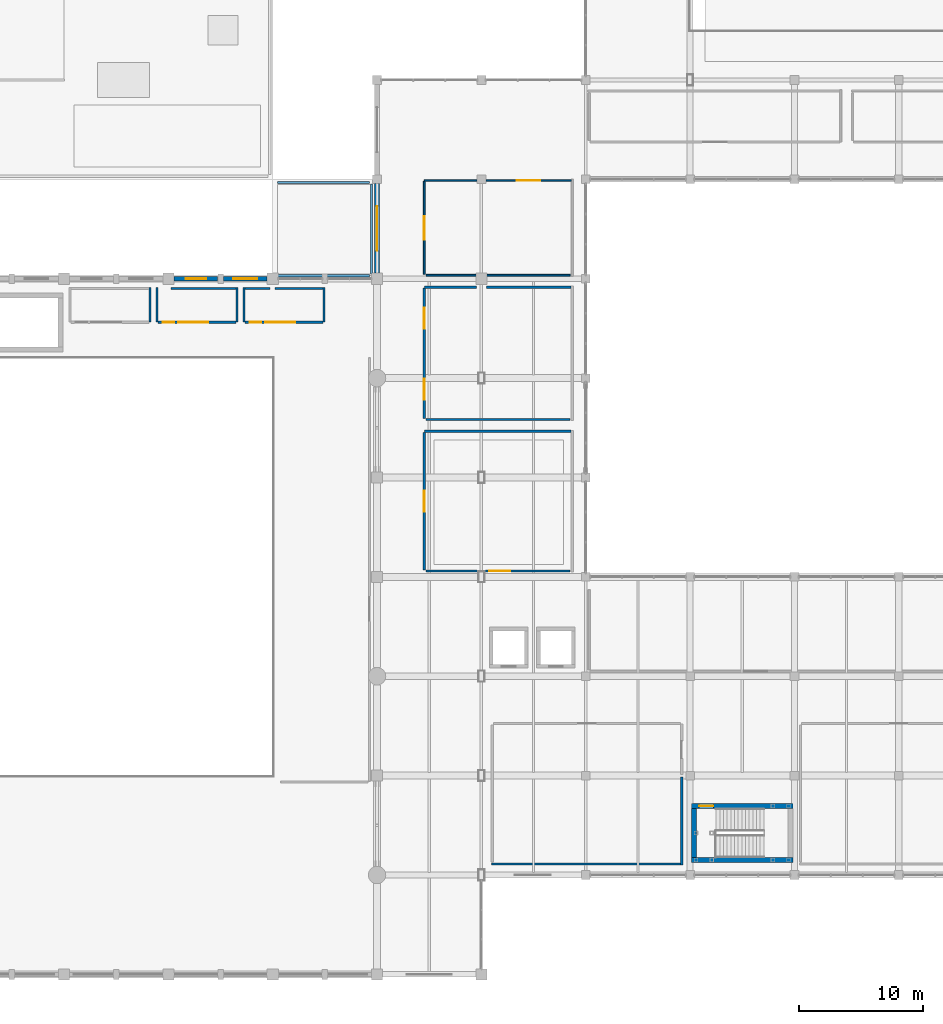
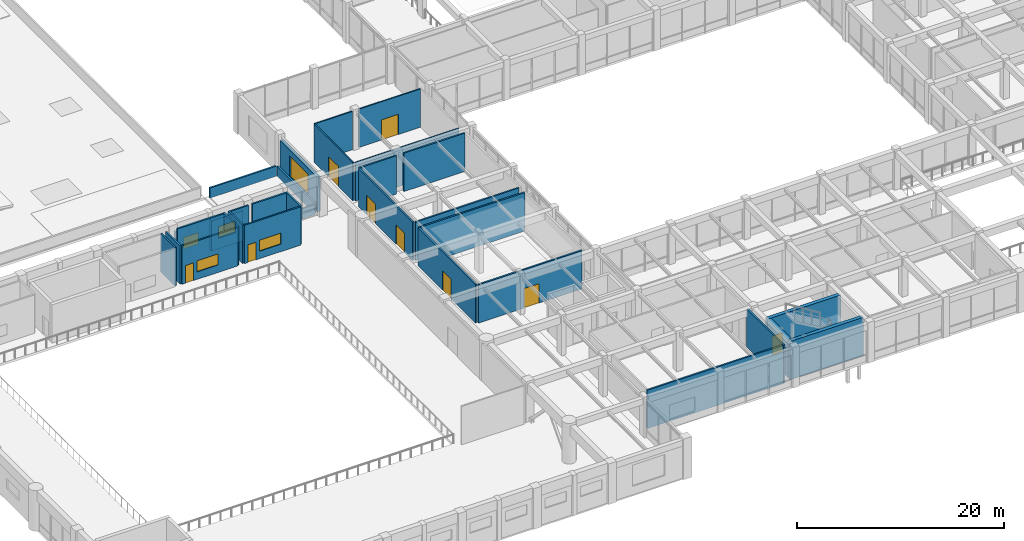
# One storey, part 51 of 76: 32 walls, 9 doors, 5 windows, 14 openings.
"""IFC4 building model written with IfcOpenShell, lengths in metres."""

from ifc_helpers import new_model, si_unit, direction, frame, frame_2d, origin, place, context, subcontext, project, spatial, rectangle, extrude, material, layer, layer_set, type_object, element, fill, save


model = new_model("IFC4")

# Units and contexts
model_context = context("Model", 3, precision=1e-05, world=origin(), true_north=direction((0.0, 1.0)))
body_context = subcontext(model_context, "Body", "Model", "MODEL_VIEW")
ifc_project = project(units=[si_unit("LENGTHUNIT", "METRE"), si_unit("AREAUNIT", "SQUARE_METRE"), si_unit("VOLUMEUNIT", "CUBIC_METRE"), si_unit("PLANEANGLEUNIT", "RADIAN"), si_unit("MASSUNIT", "GRAM", prefix="KILO")], contexts=[model_context])

# Site, building, storey
site_placement = place(None, origin())
site = spatial("IfcSite", under=ifc_project, at=site_placement, CompositionType="ELEMENT")
building_placement = place(site_placement, origin())
building = spatial("IfcBuilding", under=site, at=building_placement, Name="Naruveol Harbour Congress Hotel", CompositionType="ELEMENT")
storey_placement = place(building_placement, frame((0.0, 0.0, 11.39990234375)))
storey = spatial("IfcBuildingStorey", under=building, at=storey_placement, Name="L02", CompositionType="ELEMENT", Elevation=11.39990234375)

# Wall, opening, window
ifc_material_1 = material(Name="Concrete C40/50", Category="concrete")
ifc_layer_1 = layer(ifc_material_1, 0.340087890625)
ifc_layer_set_1 = layer_set([ifc_layer_1], Name="Concrete C40/50")
wall_type_1 = type_object("IfcWallType", Name="ACOUSTIC CONGRESS ENVELOPE WALL 340", PredefinedType="SOLIDWALL", material=ifc_layer_set_1)
wall_1_placement = place(storey_placement, frame((34.050048828125, 56.0, 0.0), z_axis=(0.0, 0.0, 1.0), x_axis=(1.0, 0.0, 0.0)))
wall_1 = element("IfcWall", 1, at=wall_1_placement, inside=storey, type_object=wall_type_1, Name="Congress north facade EW-340", PredefinedType="SOLIDWALL", context=body_context, shape_type="SweptSolid", body=[
    extrude(rectangle(XDim=3.52490234375, YDim=0.340087890625, at=frame_2d((1.762451171875, 0.0))), origin(), (0.0, 0.0, 1.0), 3.60009765625),
])
opening_1_placement = place(wall_1_placement, frame((0.93798828125, 0.0, 1.25)))
opening_1 = element("IfcOpeningElement", 2, at=opening_1_placement, cuts=wall_1, Name="Opening W-34", PredefinedType="OPENING", context=body_context, shape_type="SweptSolid", body=[
    extrude(rectangle(XDim=1.64990234375, YDim=1.35009765625, at=frame_2d((0.824951171875, 0.675048828125))), frame((0.0, 0.179931640625, 0.0), z_axis=(0.0, -1.0, 0.0), x_axis=(1.0, 0.0, 0.0)), (0.0, 0.0, 1.0), 0.360107421875),
])
ifc_material_2 = material(Name="Low-E Triple Glazing in Thermal Aluminium", Category="aluminium")
window_type_1 = type_object("IfcWindowType", Name="CONCOURSE NORTH BAY WINDOW 1650X1350", PartitioningType="SINGLE_PANEL", PredefinedType="WINDOW", material=ifc_material_2)
window_1_placement = place(opening_1_placement, origin())
window_1 = element("IfcWindow", 3, at=window_1_placement, inside=storey, type_object=window_type_1, Name="Window W-34 #81", OverallHeight=1.35009765625, OverallWidth=1.64990234375, PartitioningType="SINGLE_PANEL", PredefinedType="WINDOW", context=body_context, shape_type="SweptSolid", body=[
    extrude(rectangle(XDim=1.64990234375, YDim=1.35009765625, at=frame_2d((0.824951171875, 0.675048828125))), frame((0.0, 0.030029296875, 0.0), z_axis=(0.0, -1.0, 0.0), x_axis=(1.0, 0.0, 0.0)), (0.0, 0.0, 1.0), 0.06005859375),
])
fill(opening_1, window_1)

wall_2_placement = place(storey_placement, frame((38.02490234375, 56.0, 0.0), z_axis=(0.0, 0.0, 1.0), x_axis=(1.0, 0.0, 0.0)))
wall_2 = element("IfcWall", 4, at=wall_2_placement, inside=storey, type_object=wall_type_1, Name="Congress north facade EW-340", PredefinedType="SOLIDWALL", context=body_context, shape_type="SweptSolid", body=[
    extrude(rectangle(XDim=3.525146484375, YDim=0.340087890625, at=frame_2d((1.7626953125, 0.0))), origin(), (0.0, 0.0, 1.0), 3.60009765625),
])
opening_2_placement = place(wall_2_placement, frame((0.81201171875, 0.0, 1.25)))
opening_2 = element("IfcOpeningElement", 5, at=opening_2_placement, cuts=wall_2, Name="Opening W-20", PredefinedType="OPENING", context=body_context, shape_type="SweptSolid", body=[
    extrude(rectangle(XDim=1.89990234375, YDim=1.39990234375, at=frame_2d((0.949951171875, 0.699951171875))), frame((0.0, 0.179931640625, 0.0), z_axis=(0.0, -1.0, 0.0), x_axis=(1.0, 0.0, 0.0)), (0.0, 0.0, 1.0), 0.360107421875),
])
ifc_material_3 = material(Name="Low-E Triple Glazing in Thermal Aluminium", Category="aluminium")
window_type_2 = type_object("IfcWindowType", Name="PRESS BRIEFING WINDOW 1900X1400", PartitioningType="DOUBLE_PANEL_VERTICAL", PredefinedType="WINDOW", material=ifc_material_3)
window_2_placement = place(opening_2_placement, origin())
window_2 = element("IfcWindow", 6, at=window_2_placement, inside=storey, type_object=window_type_2, Name="Window W-20 #82", OverallHeight=1.39990234375, OverallWidth=1.89990234375, PartitioningType="DOUBLE_PANEL_VERTICAL", PredefinedType="WINDOW", context=body_context, shape_type="SweptSolid", body=[
    extrude(rectangle(XDim=1.89990234375, YDim=1.39990234375, at=frame_2d((0.949951171875, 0.699951171875))), frame((0.0, 0.030029296875, 0.0), z_axis=(0.0, -1.0, 0.0), x_axis=(1.0, 0.0, 0.0)), (0.0, 0.0, 1.0), 0.06005859375),
])
fill(opening_2, window_2)

# Wall, openings, door, window
ifc_material_4 = material(Name="Autoclaved Aerated Concrete Block", Category="concrete")
ifc_layer_2 = layer(ifc_material_4, 0.179931640625)
ifc_layer_set_2 = layer_set([ifc_layer_2], Name="Autoclaved Aerated Concrete Block")
wall_type_2 = type_object("IfcWallType", Name="ACOUSTIC HALL PARTITION WALL 180 EI60", PredefinedType="PARTITIONING", material=ifc_layer_set_2)
wall_3_placement = place(storey_placement, frame((32.760009765625, 52.5, 0.0), z_axis=(0.0, 0.0, 1.0), x_axis=(1.0, 0.0, 0.0)))
wall_3 = element("IfcWall", 7, at=wall_3_placement, inside=storey, type_object=wall_type_2, Name="Simultaneous Interpreting Booth 3 south entry wall PW-180", PredefinedType="PARTITIONING", context=body_context, shape_type="SweptSolid", body=[
    extrude(rectangle(XDim=6.280029296875, YDim=0.179931640625, at=frame_2d((3.14013671875, 0.0))), origin(), (0.0, 0.0, 1.0), 4.53515625),
])
opening_3_placement = place(wall_3_placement, frame((0.39990234375, 0.0, 0.0)))
opening_3 = element("IfcOpeningElement", 8, at=opening_3_placement, cuts=wall_3, Name="Opening ID-IB61", PredefinedType="OPENING", context=body_context, shape_type="SweptSolid", body=[
    extrude(rectangle(XDim=0.89990234375, YDim=2.10009765625, at=frame_2d((0.449951171875, 1.050048828125))), frame((0.0, 0.099853515625, 0.0), z_axis=(0.0, -1.0, 0.0), x_axis=(1.0, 0.0, 0.0)), (0.0, 0.0, 1.0), 0.199951171875),
])
opening_4_placement = place(wall_3_placement, frame((1.64990234375, 0.0, 0.89990234375)))
opening_4 = element("IfcOpeningElement", 9, at=opening_4_placement, cuts=wall_3, Name="Opening W-31", PredefinedType="OPENING", context=body_context, shape_type="SweptSolid", body=[
    extrude(rectangle(XDim=2.39990234375, YDim=1.300048828125, at=frame_2d((1.199951171875, 0.64990234375))), frame((0.0, 0.099853515625, 0.0), z_axis=(0.0, -1.0, 0.0), x_axis=(1.0, 0.0, 0.0)), (0.0, 0.0, 1.0), 0.199951171875),
])
ifc_material_5 = material(Name="Timber & Steel Acoustic Leaf", Category="steel")
door_type_1 = type_object("IfcDoorType", Name="INTERPRETING BOOTH ACOUSTIC DOOR 900X2100", OperationType="NOTDEFINED", PredefinedType="DOOR", material=ifc_material_5)
door_1_placement = place(opening_3_placement, origin())
door_1 = element("IfcDoor", 10, at=door_1_placement, inside=storey, type_object=door_type_1, Name="Simultaneous Interpreting Booth 3 Acoustic Door", OperationType="SINGLE_SWING_LEFT", OverallHeight=2.10009765625, OverallWidth=0.89990234375, PredefinedType="DOOR", context=body_context, shape_type="SweptSolid", body=[
    extrude(rectangle(XDim=0.89990234375, YDim=2.10009765625, at=frame_2d((0.449951171875, 1.050048828125))), frame((0.0, 0.02490234375, 0.0), z_axis=(0.0, -1.0, 0.0), x_axis=(1.0, 0.0, 0.0)), (0.0, 0.0, 1.0), 0.050048828125),
])
fill(opening_3, door_1)
ifc_material_6 = material(Name="Low-E Triple Glazing in Thermal Aluminium", Category="aluminium")
window_type_3 = type_object("IfcWindowType", Name="ISO 2603 INTERPRETING BOOTH GLASS 2400X1300", PartitioningType="DOUBLE_PANEL_VERTICAL", PredefinedType="WINDOW", material=ifc_material_6)
window_3_placement = place(opening_4_placement, origin())
window_3 = element("IfcWindow", 11, at=window_3_placement, inside=storey, type_object=window_type_3, Name="Simultaneous Interpreting Booth 3 Observation Window", OverallHeight=1.300048828125, OverallWidth=2.39990234375, PartitioningType="DOUBLE_PANEL_VERTICAL", PredefinedType="WINDOW", context=body_context, shape_type="SweptSolid", body=[
    extrude(rectangle(XDim=2.39990234375, YDim=1.300048828125, at=frame_2d((1.199951171875, 0.64990234375))), frame((0.0, 0.030029296875, 0.0), z_axis=(0.0, -1.0, 0.0), x_axis=(1.0, 0.0, 0.0)), (0.0, 0.0, 1.0), 0.06005859375),
])
fill(opening_4, window_3)

wall_4_placement = place(storey_placement, frame((39.760009765625, 52.5, 0.0), z_axis=(0.0, 0.0, 1.0), x_axis=(1.0, 0.0, 0.0)))
wall_4 = element("IfcWall", 12, at=wall_4_placement, inside=storey, type_object=wall_type_2, Name="Simultaneous Interpreting Booth 4 south entry wall PW-180", PredefinedType="PARTITIONING", context=body_context, shape_type="SweptSolid", body=[
    extrude(rectangle(XDim=6.280029296875, YDim=0.179931640625, at=frame_2d((3.14013671875, 0.0))), origin(), (0.0, 0.0, 1.0), 4.53515625),
])
opening_5_placement = place(wall_4_placement, frame((0.39990234375, 0.0, 0.0)))
opening_5 = element("IfcOpeningElement", 13, at=opening_5_placement, cuts=wall_4, Name="Opening ID-IB62", PredefinedType="OPENING", context=body_context, shape_type="SweptSolid", body=[
    extrude(rectangle(XDim=0.89990234375, YDim=2.10009765625, at=frame_2d((0.449951171875, 1.050048828125))), frame((0.0, 0.099853515625, 0.0), z_axis=(0.0, -1.0, 0.0), x_axis=(1.0, 0.0, 0.0)), (0.0, 0.0, 1.0), 0.199951171875),
])
opening_6_placement = place(wall_4_placement, frame((1.64990234375, 0.0, 0.89990234375)))
opening_6 = element("IfcOpeningElement", 14, at=opening_6_placement, cuts=wall_4, Name="Opening W-31", PredefinedType="OPENING", context=body_context, shape_type="SweptSolid", body=[
    extrude(rectangle(XDim=2.39990234375, YDim=1.300048828125, at=frame_2d((1.199951171875, 0.64990234375))), frame((0.0, 0.099853515625, 0.0), z_axis=(0.0, -1.0, 0.0), x_axis=(1.0, 0.0, 0.0)), (0.0, 0.0, 1.0), 0.199951171875),
])
door_2_placement = place(opening_5_placement, origin())
door_2 = element("IfcDoor", 15, at=door_2_placement, inside=storey, type_object=door_type_1, Name="Simultaneous Interpreting Booth 4 Acoustic Door", OperationType="SINGLE_SWING_RIGHT", OverallHeight=2.10009765625, OverallWidth=0.89990234375, PredefinedType="DOOR", context=body_context, shape_type="SweptSolid", body=[
    extrude(rectangle(XDim=0.89990234375, YDim=2.10009765625, at=frame_2d((0.449951171875, 1.050048828125))), frame((0.0, 0.02490234375, 0.0), z_axis=(0.0, -1.0, 0.0), x_axis=(1.0, 0.0, 0.0)), (0.0, 0.0, 1.0), 0.050048828125),
])
fill(opening_5, door_2)
window_4_placement = place(opening_6_placement, origin())
window_4 = element("IfcWindow", 16, at=window_4_placement, inside=storey, type_object=window_type_3, Name="Simultaneous Interpreting Booth 4 Observation Window", OverallHeight=1.300048828125, OverallWidth=2.39990234375, PartitioningType="DOUBLE_PANEL_VERTICAL", PredefinedType="WINDOW", context=body_context, shape_type="SweptSolid", body=[
    extrude(rectangle(XDim=2.39990234375, YDim=1.300048828125, at=frame_2d((1.199951171875, 0.64990234375))), frame((0.0, 0.030029296875, 0.0), z_axis=(0.0, -1.0, 0.0), x_axis=(1.0, 0.0, 0.0)), (0.0, 0.0, 1.0), 0.06005859375),
])
fill(opening_6, window_4)

# Wall, opening, door
wall_5_placement = place(storey_placement, frame((54.199951171875, 32.56005859375, 0.0), z_axis=(0.0, 0.0, 1.0), x_axis=(0.0, 1.0, 0.0)))
wall_5 = element("IfcWall", 17, at=wall_5_placement, inside=storey, type_object=wall_type_2, Name="Meeting Room 202 west entry wall PW-180", PredefinedType="PARTITIONING", context=body_context, shape_type="SweptSolid", body=[
    extrude(rectangle(XDim=11.079833984375, YDim=0.179931640625, at=frame_2d((5.5400390625, 0.0))), origin(), (0.0, 0.0, 1.0), 4.53515625),
])
opening_7_placement = place(wall_5_placement, frame((4.68994140625, 0.0, 0.0)))
opening_7 = element("IfcOpeningElement", 18, at=opening_7_placement, cuts=wall_5, Name="Opening ID-MT-68", PredefinedType="OPENING", context=body_context, shape_type="SweptSolid", body=[
    extrude(rectangle(XDim=1.699951171875, YDim=2.300048828125, at=frame_2d((0.85009765625, 1.14990234375))), frame((0.0, 0.099853515625, 0.0), z_axis=(0.0, -1.0, 0.0), x_axis=(1.0, 0.0, 0.0)), (0.0, 0.0, 1.0), 0.199951171875),
])
ifc_material_7 = material(Name="Timber & Steel Acoustic Leaf", Category="steel")
door_type_2 = type_object("IfcDoorType", Name="MEETING SALON DOUBLE DOOR 1700X2300", OperationType="DOUBLE_DOOR_SINGLE_SWING", PredefinedType="DOOR", material=ifc_material_7)
door_3_placement = place(opening_7_placement, origin())
door_3 = element("IfcDoor", 19, at=door_3_placement, inside=storey, type_object=door_type_2, Name="Meeting Room 202 Entrance Door", OperationType="DOUBLE_DOOR_SINGLE_SWING", OverallHeight=2.300048828125, OverallWidth=1.699951171875, PredefinedType="DOOR", context=body_context, shape_type="SweptSolid", body=[
    extrude(rectangle(XDim=1.699951171875, YDim=2.300048828125, at=frame_2d((0.85009765625, 1.14990234375))), frame((0.0, 0.02490234375, 0.0), z_axis=(0.0, -1.0, 0.0), x_axis=(1.0, 0.0, 0.0)), (0.0, 0.0, 1.0), 0.050048828125),
])
fill(opening_7, door_3)

wall_6_placement = place(storey_placement, frame((54.340087890625, 32.47998046875, 0.0), z_axis=(0.0, 0.0, 1.0), x_axis=(1.0, 0.0, 0.0)))
wall_6 = element("IfcWall", 20, at=wall_6_placement, inside=storey, type_object=wall_type_2, Name="Meeting Room 202 south partition PW-180", PredefinedType="PARTITIONING", context=body_context, shape_type="SweptSolid", body=[
    extrude(rectangle(XDim=11.60986328125, YDim=0.179931640625, at=frame_2d((5.804931640625, 0.0))), origin(), (0.0, 0.0, 1.0), 4.53515625),
])
opening_8_placement = place(wall_6_placement, frame((5.10009765625, 0.0, 0.0)))
opening_8 = element("IfcOpeningElement", 21, at=opening_8_placement, cuts=wall_6, Name="Opening ID-MT-68B", PredefinedType="OPENING", context=body_context, shape_type="SweptSolid", body=[
    extrude(rectangle(XDim=1.699951171875, YDim=2.300048828125, at=frame_2d((0.85009765625, 1.14990234375))), frame((0.0, 0.099853515625, 0.0), z_axis=(0.0, -1.0, 0.0), x_axis=(1.0, 0.0, 0.0)), (0.0, 0.0, 1.0), 0.199951171875),
])
door_4_placement = place(opening_8_placement, origin())
door_4 = element("IfcDoor", 22, at=door_4_placement, inside=storey, type_object=door_type_2, Name="Meeting Room 202 Second Exit Door", OperationType="DOUBLE_DOOR_SINGLE_SWING", OverallHeight=2.300048828125, OverallWidth=1.699951171875, PredefinedType="DOOR", context=body_context, shape_type="SweptSolid", body=[
    extrude(rectangle(XDim=1.699951171875, YDim=2.300048828125, at=frame_2d((0.85009765625, 1.14990234375))), frame((0.0, 0.02490234375, 0.0), z_axis=(0.0, -1.0, 0.0), x_axis=(1.0, 0.0, 0.0)), (0.0, 0.0, 1.0), 0.050048828125),
])
fill(opening_8, door_4)

# Wall, openings, doors
wall_7_placement = place(storey_placement, frame((54.199951171875, 44.760009765625, 0.0), z_axis=(0.0, 0.0, 1.0), x_axis=(0.0, 1.0, 0.0)))
wall_7 = element("IfcWall", 23, at=wall_7_placement, inside=storey, type_object=wall_type_2, Name="Meeting Room 203 west entry wall PW-180", PredefinedType="PARTITIONING", context=body_context, shape_type="SweptSolid", body=[
    extrude(rectangle(XDim=10.47998046875, YDim=0.179931640625, at=frame_2d((5.239990234375, 0.0))), origin(), (0.0, 0.0, 1.0), 4.53515625),
])
opening_9_placement = place(wall_7_placement, frame((1.5, 0.0, 0.0)))
opening_9 = element("IfcOpeningElement", 24, at=opening_9_placement, cuts=wall_7, Name="Opening ID-MT-69", PredefinedType="OPENING", context=body_context, shape_type="SweptSolid", body=[
    extrude(rectangle(XDim=1.699951171875, YDim=2.300048828125, at=frame_2d((0.85009765625, 1.14990234375))), frame((0.0, 0.099853515625, 0.0), z_axis=(0.0, -1.0, 0.0), x_axis=(1.0, 0.0, 0.0)), (0.0, 0.0, 1.0), 0.199951171875),
])
opening_10_placement = place(wall_7_placement, frame((7.199951171875, 0.0, 0.0)))
opening_10 = element("IfcOpeningElement", 25, at=opening_10_placement, cuts=wall_7, Name="Opening ID-MT-69B", PredefinedType="OPENING", context=body_context, shape_type="SweptSolid", body=[
    extrude(rectangle(XDim=1.699951171875, YDim=2.300048828125, at=frame_2d((0.85009765625, 1.14990234375))), frame((0.0, 0.099853515625, 0.0), z_axis=(0.0, -1.0, 0.0), x_axis=(1.0, 0.0, 0.0)), (0.0, 0.0, 1.0), 0.199951171875),
])
door_5_placement = place(opening_9_placement, origin())
door_5 = element("IfcDoor", 26, at=door_5_placement, inside=storey, type_object=door_type_2, Name="Meeting Room 203 Entrance Door", OperationType="DOUBLE_DOOR_SINGLE_SWING", OverallHeight=2.300048828125, OverallWidth=1.699951171875, PredefinedType="DOOR", context=body_context, shape_type="SweptSolid", body=[
    extrude(rectangle(XDim=1.699951171875, YDim=2.300048828125, at=frame_2d((0.85009765625, 1.14990234375))), frame((0.0, 0.02490234375, 0.0), z_axis=(0.0, -1.0, 0.0), x_axis=(1.0, 0.0, 0.0)), (0.0, 0.0, 1.0), 0.050048828125),
])
fill(opening_9, door_5)
door_6_placement = place(opening_10_placement, origin())
door_6 = element("IfcDoor", 27, at=door_6_placement, inside=storey, type_object=door_type_2, Name="Meeting Room 203 Second Exit Door", OperationType="DOUBLE_DOOR_SINGLE_SWING", OverallHeight=2.300048828125, OverallWidth=1.699951171875, PredefinedType="DOOR", context=body_context, shape_type="SweptSolid", body=[
    extrude(rectangle(XDim=1.699951171875, YDim=2.300048828125, at=frame_2d((0.85009765625, 1.14990234375))), frame((0.0, 0.02490234375, 0.0), z_axis=(0.0, -1.0, 0.0), x_axis=(1.0, 0.0, 0.0)), (0.0, 0.0, 1.0), 0.050048828125),
])
fill(opening_10, door_6)

# Walls
wall_8_placement = place(storey_placement, frame((54.340087890625, 44.679931640625, 0.0), z_axis=(0.0, 0.0, 1.0), x_axis=(1.0, 0.0, 0.0)))
element("IfcWall", 28, at=wall_8_placement, inside=storey, type_object=wall_type_2, Name="Meeting Room 203 south partition PW-180", PredefinedType="PARTITIONING", context=body_context, shape_type="SweptSolid", body=[
    extrude(rectangle(XDim=11.60986328125, YDim=0.179931640625, at=frame_2d((5.804931640625, 0.0))), origin(), (0.0, 0.0, 1.0), 4.53515625),
])
for number, where, z_axis, x_axis, name in (
    (29, (32.1201171875, 52.531982421875, 0.0), (0.0, 0.0, 1.0), (0.0, 1.0, 0.0), "Simultaneous Interpreting Booth 2 east enclosure partition PW-180"),
    (30, (32.679931640625, 52.531982421875, 0.0), (0.0, 0.0, 1.0), (0.0, 1.0, 0.0), "Simultaneous Interpreting Booth 3 west enclosure partition PW-180"),
    (31, (39.1201171875, 52.531982421875, 0.0), (0.0, 0.0, 1.0), (0.0, 1.0, 0.0), "Simultaneous Interpreting Booth 3 east enclosure partition PW-180"),
):
    element("IfcWall", number, at=place(storey_placement, frame(where, z_axis=z_axis, x_axis=x_axis)), inside=storey, type_object=wall_type_2, Name=name, PredefinedType="PARTITIONING", context=body_context, shape_type="SweptSolid", body=[
        extrude(rectangle(XDim=2.76806640625, YDim=0.179931640625, at=frame_2d((1.384033203125, 0.0))), origin(), (0.0, 0.0, 1.0), 4.53515625),
    ])
wall_9_placement = place(storey_placement, frame((33.800048828125, 55.219970703125, 0.0), z_axis=(0.0, 0.0, 1.0), x_axis=(1.0, 0.0, 0.0)))
element("IfcWall", 32, at=wall_9_placement, inside=storey, type_object=wall_type_2, Name="Simultaneous Interpreting Booth 3 north enclosure partition PW-180", PredefinedType="PARTITIONING", context=body_context, shape_type="SweptSolid", body=[
    extrude(rectangle(XDim=5.22998046875, YDim=0.179931640625, at=frame_2d((2.614990234375, 0.0))), origin(), (0.0, 0.0, 1.0), 4.53515625),
])
for number, where, z_axis, x_axis, name in (
    (33, (39.679931640625, 52.531982421875, 0.0), (0.0, 0.0, 1.0), (0.0, 1.0, 0.0), "Simultaneous Interpreting Booth 4 west enclosure partition PW-180"),
    (34, (46.1201171875, 52.531982421875, 0.0), (0.0, 0.0, 1.0), (0.0, 1.0, 0.0), "Simultaneous Interpreting Booth 4 east enclosure partition PW-180"),
):
    element("IfcWall", number, at=place(storey_placement, frame(where, z_axis=z_axis, x_axis=x_axis)), inside=storey, type_object=wall_type_2, Name=name, PredefinedType="PARTITIONING", context=body_context, shape_type="SweptSolid", body=[
        extrude(rectangle(XDim=2.76806640625, YDim=0.179931640625, at=frame_2d((1.384033203125, 0.0))), origin(), (0.0, 0.0, 1.0), 4.53515625),
    ])
wall_10_placement = place(storey_placement, frame((39.77001953125, 55.219970703125, 0.0), z_axis=(0.0, 0.0, 1.0), x_axis=(1.0, 0.0, 0.0)))
element("IfcWall", 35, at=wall_10_placement, inside=storey, type_object=wall_type_2, Name="Simultaneous Interpreting Booth 4 north enclosure partition PW-180", PredefinedType="PARTITIONING", context=body_context, shape_type="SweptSolid", body=[
    extrude(rectangle(XDim=2.030029296875, YDim=0.179931640625, at=frame_2d((1.01513671875, 0.0))), origin(), (0.0, 0.0, 1.0), 4.53515625),
])
wall_11_placement = place(storey_placement, frame((42.199951171875, 55.219970703125, 0.0), z_axis=(0.0, 0.0, 1.0), x_axis=(1.0, 0.0, 0.0)))
element("IfcWall", 36, at=wall_11_placement, inside=storey, type_object=wall_type_2, Name="Simultaneous Interpreting Booth 4 north enclosure partition PW-180", PredefinedType="PARTITIONING", context=body_context, shape_type="SweptSolid", body=[
    extrude(rectangle(XDim=3.830078125, YDim=0.179931640625, at=frame_2d((1.9150390625, 0.0))), origin(), (0.0, 0.0, 1.0), 4.53515625),
])
wall_12_placement = place(storey_placement, frame((74.919921875, 8.800048828125, 0.0), z_axis=(0.0, 0.0, 1.0), x_axis=(0.0, 1.0, 0.0)))
element("IfcWall", 37, at=wall_12_placement, inside=storey, type_object=wall_type_2, Name="Diplomatic Briefing Suite 201 east enclosure partition PW-180", PredefinedType="PARTITIONING", context=body_context, shape_type="SweptSolid", body=[
    extrude(rectangle(XDim=7.099853515625, YDim=0.179931640625, at=frame_2d((3.5498046875, 0.0))), origin(), (0.0, 0.0, 1.0), 4.53515625),
])
wall_13_placement = place(storey_placement, frame((59.60009765625, 8.8798828125, 0.0), z_axis=(0.0, 0.0, 1.0), x_axis=(1.0, 0.0, 0.0)))
element("IfcWall", 38, at=wall_13_placement, inside=storey, type_object=wall_type_2, Name="Diplomatic Briefing Suite 201 south enclosure partition PW-180", PredefinedType="PARTITIONING", context=body_context, shape_type="SweptSolid", body=[
    extrude(rectangle(XDim=15.22998046875, YDim=0.179931640625, at=frame_2d((7.614990234375, 0.0))), origin(), (0.0, 0.0, 1.0), 4.53515625),
])
wall_14_placement = place(storey_placement, frame((54.23193359375, 43.719970703125, 0.0), z_axis=(0.0, 0.0, 1.0), x_axis=(1.0, 0.0, 0.0)))
element("IfcWall", 39, at=wall_14_placement, inside=storey, type_object=wall_type_2, Name="Meeting Room 202 north enclosure partition PW-180", PredefinedType="PARTITIONING", context=body_context, shape_type="SweptSolid", body=[
    extrude(rectangle(XDim=11.798095703125, YDim=0.179931640625, at=frame_2d((5.89892578125, 0.0))), origin(), (0.0, 0.0, 1.0), 4.53515625),
])
wall_15_placement = place(storey_placement, frame((54.23193359375, 55.320068359375, 0.0), z_axis=(0.0, 0.0, 1.0), x_axis=(1.0, 0.0, 0.0)))
element("IfcWall", 40, at=wall_15_placement, inside=storey, type_object=wall_type_2, Name="Meeting Room 203 north enclosure partition PW-180", PredefinedType="PARTITIONING", context=body_context, shape_type="SweptSolid", body=[
    extrude(rectangle(XDim=4.16796875, YDim=0.179931640625, at=frame_2d((2.083984375, 0.0))), origin(), (0.0, 0.0, 1.0), 4.53515625),
])
wall_16_placement = place(storey_placement, frame((59.199951171875, 55.320068359375, 0.0), z_axis=(0.0, 0.0, 1.0), x_axis=(1.0, 0.0, 0.0)))
element("IfcWall", 41, at=wall_16_placement, inside=storey, type_object=wall_type_2, Name="Meeting Room 203 north enclosure partition PW-180", PredefinedType="PARTITIONING", context=body_context, shape_type="SweptSolid", body=[
    extrude(rectangle(XDim=6.830078125, YDim=0.179931640625, at=frame_2d((3.4150390625, 0.0))), origin(), (0.0, 0.0, 1.0), 4.53515625),
])

# Wall, opening, door
ifc_material_8 = material(Name="Acoustic Double Stud Gypsum", Category="gypsum")
ifc_layer_3 = layer(ifc_material_8, 0.139892578125)
ifc_layer_set_3 = layer_set([ifc_layer_3], Name="Acoustic Double Stud Gypsum")
wall_type_3 = type_object("IfcWallType", Name="ACOUSTIC MEETING PARTITION WALL 140", PredefinedType="PARTITIONING", material=ifc_layer_set_3)
wall_17_placement = place(storey_placement, frame((54.199951171875, 56.360107421875, 0.0), z_axis=(0.0, 0.0, 1.0), x_axis=(0.0, 1.0, 0.0)))
wall_17 = element("IfcWall", 42, at=wall_17_placement, inside=storey, type_object=wall_type_3, Name="Breakout Salon 204 west entry wall PW-140", PredefinedType="PARTITIONING", context=body_context, shape_type="SweptSolid", body=[
    extrude(rectangle(XDim=7.47998046875, YDim=0.139892578125, at=frame_2d((3.739990234375, 0.0))), origin(), (0.0, 0.0, 1.0), 4.53515625),
])
opening_11_placement = place(wall_17_placement, frame((2.7900390625, 0.0, 0.0)))
opening_11 = element("IfcOpeningElement", 43, at=opening_11_placement, cuts=wall_17, Name="Opening ID-LG-70", PredefinedType="OPENING", context=body_context, shape_type="SweptSolid", body=[
    extrude(rectangle(XDim=1.89990234375, YDim=2.39990234375, at=frame_2d((0.949951171875, 1.199951171875))), frame((0.0, 0.079833984375, 0.0), z_axis=(0.0, -1.0, 0.0), x_axis=(1.0, 0.0, 0.0)), (0.0, 0.0, 1.0), 0.159912109375),
])
ifc_material_9 = material(Name="Timber & Steel Acoustic Leaf", Category="steel")
door_type_3 = type_object("IfcDoorType", Name="RESTAURANT AND LOUNGE GLAZED DOOR 1900X2400", OperationType="DOUBLE_DOOR_SINGLE_SWING", PredefinedType="DOOR", material=ifc_material_9)
door_7_placement = place(opening_11_placement, origin())
door_7 = element("IfcDoor", 44, at=door_7_placement, inside=storey, type_object=door_type_3, Name="Breakout Salon 204 Entrance Door", OperationType="DOUBLE_DOOR_SINGLE_SWING", OverallHeight=2.39990234375, OverallWidth=1.89990234375, PredefinedType="DOOR", context=body_context, shape_type="SweptSolid", body=[
    extrude(rectangle(XDim=1.89990234375, YDim=2.39990234375, at=frame_2d((0.949951171875, 1.199951171875))), frame((0.0, 0.02490234375, 0.0), z_axis=(0.0, -1.0, 0.0), x_axis=(1.0, 0.0, 0.0)), (0.0, 0.0, 1.0), 0.050048828125),
])
fill(opening_11, door_7)

# Walls
wall_18_placement = place(storey_placement, frame((54.340087890625, 56.280029296875, 0.0), z_axis=(0.0, 0.0, 1.0), x_axis=(1.0, 0.0, 0.0)))
element("IfcWall", 45, at=wall_18_placement, inside=storey, type_object=wall_type_3, Name="Breakout Salon 204 south partition PW-140", PredefinedType="PARTITIONING", context=body_context, shape_type="SweptSolid", body=[
    extrude(rectangle(XDim=11.60986328125, YDim=0.139892578125, at=frame_2d((5.804931640625, 0.0))), origin(), (0.0, 0.0, 1.0), 4.53515625),
])
wall_19_placement = place(storey_placement, frame((54.2119140625, 63.919921875, 0.0), z_axis=(0.0, 0.0, 1.0), x_axis=(1.0, 0.0, 0.0)))
element("IfcWall", 46, at=wall_19_placement, inside=storey, type_object=wall_type_3, Name="Breakout Salon 204 north enclosure partition PW-140", PredefinedType="PARTITIONING", context=body_context, shape_type="SweptSolid", body=[
    extrude(rectangle(XDim=4.238037109375, YDim=0.139892578125, at=frame_2d((2.119140625, 0.0))), origin(), (0.0, 0.0, 1.0), 4.53515625),
])

# Wall, opening, door
wall_20_placement = place(storey_placement, frame((59.14990234375, 63.919921875, 0.0), z_axis=(0.0, 0.0, 1.0), x_axis=(1.0, 0.0, 0.0)))
wall_20 = element("IfcWall", 47, at=wall_20_placement, inside=storey, type_object=wall_type_3, Name="Breakout Salon 204 north enclosure partition PW-140", PredefinedType="PARTITIONING", context=body_context, shape_type="SweptSolid", body=[
    extrude(rectangle(XDim=6.900146484375, YDim=0.139892578125, at=frame_2d((3.4501953125, 0.0))), origin(), (0.0, 0.0, 1.0), 4.53515625),
])
opening_12_placement = place(wall_20_placement, frame((2.5, 0.0, 0.0)))
opening_12 = element("IfcOpeningElement", 48, at=opening_12_placement, cuts=wall_20, Name="Opening ID-LG-70B", PredefinedType="OPENING", context=body_context, shape_type="SweptSolid", body=[
    extrude(rectangle(XDim=1.89990234375, YDim=2.39990234375, at=frame_2d((0.949951171875, 1.199951171875))), frame((0.0, 0.079833984375, 0.0), z_axis=(0.0, -1.0, 0.0), x_axis=(1.0, 0.0, 0.0)), (0.0, 0.0, 1.0), 0.159912109375),
])
door_8_placement = place(opening_12_placement, origin())
door_8 = element("IfcDoor", 49, at=door_8_placement, inside=storey, type_object=door_type_3, Name="Breakout Salon 204 Second Exit Door", OperationType="DOUBLE_DOOR_SINGLE_SWING", OverallHeight=2.39990234375, OverallWidth=1.89990234375, PredefinedType="DOOR", context=body_context, shape_type="SweptSolid", body=[
    extrude(rectangle(XDim=1.89990234375, YDim=2.39990234375, at=frame_2d((0.949951171875, 1.199951171875))), frame((0.0, 0.02490234375, 0.0), z_axis=(0.0, -1.0, 0.0), x_axis=(1.0, 0.0, 0.0)), (0.0, 0.0, 1.0), 0.050048828125),
])
fill(opening_12, door_8)

# Wall, opening, window
ifc_material_10 = material(Name="Concrete C40/50", Category="concrete")
ifc_layer_4 = layer(ifc_material_10, 0.3798828125)
ifc_layer_set_4 = layer_set([ifc_layer_4], Name="Concrete C40/50")
wall_type_4 = type_object("IfcWallType", Name="INSULATED GRANITE FACADE WALL 380", PredefinedType="SOLIDWALL", material=ifc_layer_set_4)
wall_21_placement = place(storey_placement, frame((50.39990234375, 56.449951171875, 0.0), z_axis=(0.0, 0.0, 1.0), x_axis=(0.0, 1.0, 0.0)))
wall_21 = element("IfcWall", 50, at=wall_21_placement, inside=storey, type_object=wall_type_4, Name="Main arrival forecourt south bay EW-380", PredefinedType="SOLIDWALL", context=body_context, shape_type="SweptSolid", body=[
    extrude(rectangle(XDim=7.199951171875, YDim=0.3798828125, at=frame_2d((3.60009765625, 0.0))), origin(), (0.0, 0.0, 1.0), 4.090087890625),
])
opening_13_placement = place(wall_21_placement, frame((1.800048828125, 0.0, 0.89990234375)))
opening_13 = element("IfcOpeningElement", 51, at=opening_13_placement, cuts=wall_21, Name="Opening W-12", PredefinedType="OPENING", context=body_context, shape_type="SweptSolid", body=[
    extrude(rectangle(XDim=3.60009765625, YDim=2.5, at=frame_2d((1.800048828125, 1.25))), frame((0.0, 0.199951171875, 0.0), z_axis=(0.0, -1.0, 0.0), x_axis=(1.0, 0.0, 0.0)), (0.0, 0.0, 1.0), 0.39990234375),
])
ifc_material_11 = material(Name="Low-E Triple Glazing in Thermal Aluminium", Category="aluminium")
window_type_4 = type_object("IfcWindowType", Name="CONCOURSE PICTURE WINDOW 3600X2500", PartitioningType="DOUBLE_PANEL_VERTICAL", PredefinedType="WINDOW", material=ifc_material_11)
window_5_placement = place(opening_13_placement, origin())
window_5 = element("IfcWindow", 52, at=window_5_placement, inside=storey, type_object=window_type_4, Name="Window W-12 #152", OverallHeight=2.5, OverallWidth=3.60009765625, PartitioningType="DOUBLE_PANEL_VERTICAL", PredefinedType="WINDOW", context=body_context, shape_type="SweptSolid", body=[
    extrude(rectangle(XDim=3.60009765625, YDim=2.5, at=frame_2d((1.800048828125, 1.25))), frame((0.0, 0.030029296875, 0.0), z_axis=(0.0, -1.0, 0.0), x_axis=(1.0, 0.0, 0.0)), (0.0, 0.0, 1.0), 0.06005859375),
])
fill(opening_13, window_5)

# Wall
ifc_material_12 = material(Name="Concrete C50/60", Category="concrete")
ifc_layer_5 = layer(ifc_material_12, 0.39990234375)
ifc_layer_set_5 = layer_set([ifc_layer_5], Name="Concrete C50/60")
wall_type_5 = type_object("IfcWallType", Name="RC CORE SHEAR WALL 400 EI120", PredefinedType="SHEAR", material=ifc_layer_set_5)
wall_22_placement = place(storey_placement, frame((75.699951171875, 9.199951171875, 0.0), z_axis=(0.0, 0.0, 1.0), x_axis=(1.0, 0.0, 0.0)))
element("IfcWall", 53, at=wall_22_placement, inside=storey, type_object=wall_type_5, Name="Stair ST10 south core wall CW-400", PredefinedType="SHEAR", context=body_context, shape_type="SweptSolid", body=[
    extrude(rectangle(XDim=8.199951171875, YDim=0.39990234375, at=frame_2d((4.10009765625, 0.0))), origin(), (0.0, 0.0, 1.0), 4.53515625),
])

# Wall, opening, door
wall_23_placement = place(storey_placement, frame((75.699951171875, 13.56005859375, 0.0), z_axis=(0.0, 0.0, 1.0), x_axis=(1.0, 0.0, 0.0)))
wall_23 = element("IfcWall", 54, at=wall_23_placement, inside=storey, type_object=wall_type_5, Name="Stair ST10 north core wall CW-400", PredefinedType="SHEAR", context=body_context, shape_type="SweptSolid", body=[
    extrude(rectangle(XDim=8.199951171875, YDim=0.39990234375, at=frame_2d((4.10009765625, 0.0))), origin(), (0.0, 0.0, 1.0), 4.53515625),
])
opening_14_placement = place(wall_23_placement, frame((0.6201171875, 0.0, 0.0)))
opening_14 = element("IfcOpeningElement", 55, at=opening_14_placement, cuts=wall_23, Name="Opening FD-ST10-L02", PredefinedType="OPENING", context=body_context, shape_type="SweptSolid", body=[
    extrude(rectangle(XDim=1.159912109375, YDim=2.199951171875, at=frame_2d((0.580078125, 1.10009765625))), frame((0.0, 0.2099609375, 0.0), z_axis=(0.0, -1.0, 0.0), x_axis=(1.0, 0.0, 0.0)), (0.0, 0.0, 1.0), 0.419921875),
])
ifc_material_13 = material(Name="Timber & Steel Acoustic Leaf", Category="steel")
door_type_4 = type_object("IfcDoorType", Name="SPECIAL ESCAPE STAIR FIRE DOOR 1160X2200", OperationType="NOTDEFINED", PredefinedType="DOOR", material=ifc_material_13)
door_9_placement = place(opening_14_placement, origin())
door_9 = element("IfcDoor", 56, at=door_9_placement, inside=storey, type_object=door_type_4, Name="Enclosed Exit Stair Door ST10 L02", OperationType="SINGLE_SWING_LEFT", OverallHeight=2.199951171875, OverallWidth=1.159912109375, PredefinedType="DOOR", context=body_context, shape_type="SweptSolid", body=[
    extrude(rectangle(XDim=1.159912109375, YDim=2.199951171875, at=frame_2d((0.580078125, 1.10009765625))), frame((0.0, 0.02490234375, 0.0), z_axis=(0.0, -1.0, 0.0), x_axis=(1.0, 0.0, 0.0)), (0.0, 0.0, 1.0), 0.050048828125),
])
fill(opening_14, door_9)

# Walls
wall_24_placement = place(storey_placement, frame((75.89990234375, 9.405029296875, 0.0), z_axis=(0.0, 0.0, 1.0), x_axis=(0.0, 1.0, 0.0)))
element("IfcWall", 57, at=wall_24_placement, inside=storey, type_object=wall_type_5, Name="Stair ST10 west core wall CW-400", PredefinedType="SHEAR", context=body_context, shape_type="SweptSolid", body=[
    extrude(rectangle(XDim=3.949951171875, YDim=0.39990234375, at=frame_2d((1.97509765625, 0.0))), origin(), (0.0, 0.0, 1.0), 4.53515625),
])
ifc_material_14 = material(Name="Concrete C40/50", Category="concrete")
ifc_layer_6 = layer(ifc_material_14, 0.18994140625)
ifc_layer_set_6 = layer_set([ifc_layer_6], Name="Concrete C40/50")
wall_type_6 = type_object("IfcWallType", Name="RC ROOF PARAPET UPSTAND WALL 190", PredefinedType="PARAPET", material=ifc_layer_set_6)
wall_25_placement = place(storey_placement, frame((42.389892578125, 56.25, 0.0), z_axis=(0.0, 0.0, 1.0), x_axis=(1.0, 0.0, 0.0)))
element("IfcWall", 58, at=wall_25_placement, inside=storey, type_object=wall_type_6, Name="Roof parapet upstand PW-190", PredefinedType="PARAPET", context=body_context, shape_type="SweptSolid", body=[
    extrude(rectangle(XDim=7.420166015625, YDim=0.18994140625, at=frame_2d((3.7099609375, 0.0))), origin(), (0.0, 0.0, 1.0), 1.2001953125),
])
wall_26_placement = place(storey_placement, frame((49.949951171875, 56.389892578125, 0.0), z_axis=(0.0, 0.0, 1.0), x_axis=(0.0, 1.0, 0.0)))
element("IfcWall", 59, at=wall_26_placement, inside=storey, type_object=wall_type_6, Name="Roof parapet upstand PW-190", PredefinedType="PARAPET", context=body_context, shape_type="SweptSolid", body=[
    extrude(rectangle(XDim=7.22021484375, YDim=0.18994140625, at=frame_2d((3.610107421875, 0.0))), origin(), (0.0, 0.0, 1.0), 1.2001953125),
])
wall_27_placement = place(storey_placement, frame((49.81005859375, 63.75, 0.0), z_axis=(0.0, 0.0, 1.0), x_axis=(-1.0, 0.0, 0.0)))
element("IfcWall", 60, at=wall_27_placement, inside=storey, type_object=wall_type_6, Name="Roof parapet upstand PW-190", PredefinedType="PARAPET", context=body_context, shape_type="SweptSolid", body=[
    extrude(rectangle(XDim=7.420166015625, YDim=0.18994140625, at=frame_2d((3.7099609375, 0.0))), origin(), (0.0, 0.0, 1.0), 1.2001953125),
])

save(model, "model.ifc")
